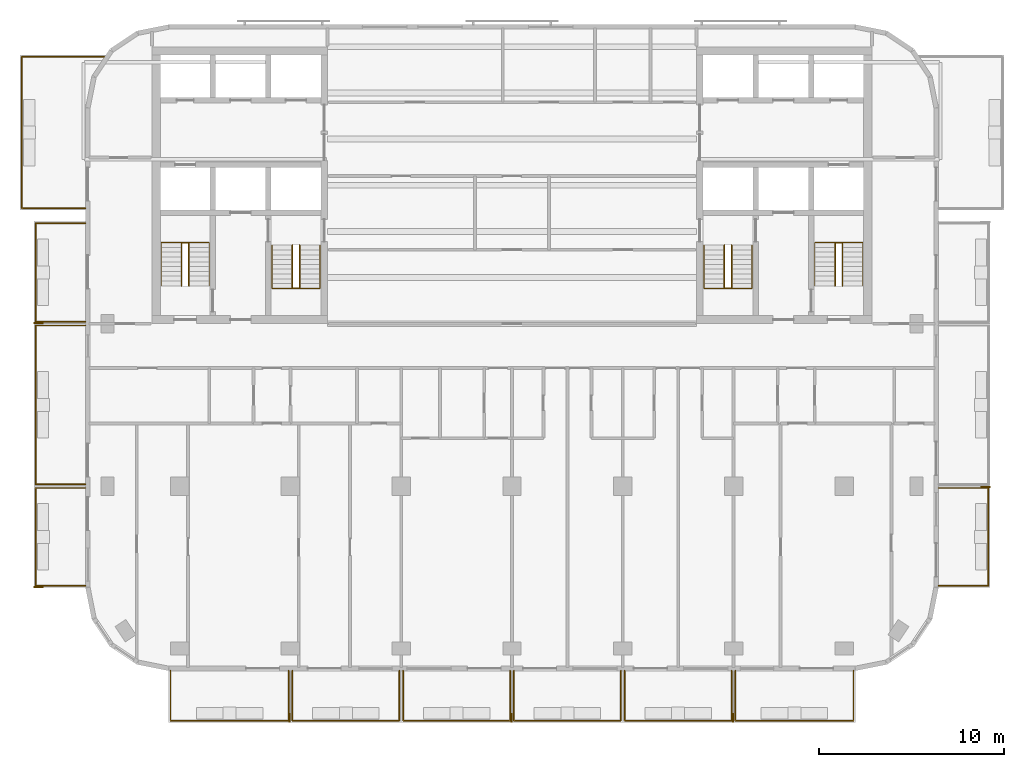
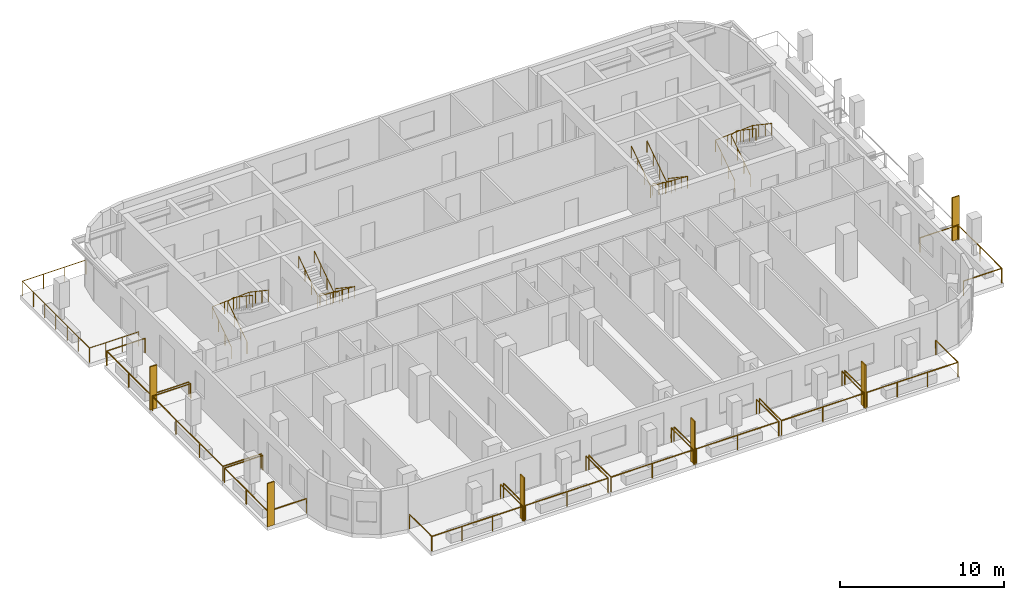
# One storey, part 9 of 11: 19 railings, 6 shading devices.
"""IFC4 building model written with IfcOpenShell, lengths in metres."""

from ifc_helpers import new_model, si_unit, direction, frame, origin, origin_2d, place, context, subcontext, project, spatial, rectangle, circle, extrude, material, layer, layer_set, type_object, element, save


model = new_model("IFC4")

# Units and contexts
model_context = context("Model", 3, precision=1e-05, world=origin(), true_north=direction((0.0, 1.0)))
body_context = subcontext(model_context, "Body", "Model", "MODEL_VIEW")
ifc_project = project(units=[si_unit("LENGTHUNIT", "METRE"), si_unit("AREAUNIT", "SQUARE_METRE"), si_unit("VOLUMEUNIT", "CUBIC_METRE"), si_unit("PLANEANGLEUNIT", "RADIAN"), si_unit("MASSUNIT", "GRAM", prefix="KILO")], contexts=[model_context])

# Site, building, storey
site_placement = place(None, origin())
site = spatial("IfcSite", under=ifc_project, at=site_placement, CompositionType="ELEMENT")
building_placement = place(site_placement, origin())
building = spatial("IfcBuilding", under=site, at=building_placement, Name="Torana Hotel and Residences", CompositionType="ELEMENT")
storey_placement = place(building_placement, frame((0.0, 0.0, 280.60009765625)))
storey = spatial("IfcBuildingStorey", under=building, at=storey_placement, Name="L74", CompositionType="ELEMENT", Elevation=280.60009765625)

# Shading devices
ifc_material_1 = material(Name="Black powder coated aluminium", Category="aluminium")
ifc_layer = layer(ifc_material_1, 0.080078125)
ifc_layer_set = layer_set([ifc_layer], Name="FN1 VERTICAL FIN 500x80")
shading_device_type = type_object("IfcShadingDeviceType", Name="FN1 VERTICAL FIN 500x80", PredefinedType="USERDEFINED", material=ifc_layer_set)
for number, where, z_axis, x_axis, name in (
    (1, (-12.0400390625, -36.35009765625, 0.0), (0.0, 0.0, 1.0), (-1.0, 0.0, 0.0), "Fin 01"),
    (2, (-0.0400390625, -36.35009765625, 0.0), (0.0, 0.0, 1.0), (-1.0, 0.0, 0.0), "Fin 03"),
    (3, (11.9599609375, -36.35009765625, 0.0), (0.0, 0.0, 1.0), (-1.0, 0.0, 0.0), "Fin 05"),
    (4, (-25.64990234375, -29.260009765625, 0.0), (0.0, 0.0, 1.0), (0.0, 1.0, 0.0), "Fin 07"),
    (5, (-25.64990234375, -14.9599609375, 0.0), (0.0, 0.0, 1.0), (0.0, 1.0, 0.0), "Fin 09"),
    (6, (25.64990234375, -23.840087890625, 0.0), (0.0, 0.0, 1.0), (0.0, -1.0, 0.0), "Fin 11"),
):
    element("IfcShadingDevice", number, at=place(storey_placement, frame(where, z_axis=z_axis, x_axis=x_axis)), inside=storey, type_object=shading_device_type, Name=name, ObjectType="FIN", PredefinedType="USERDEFINED", context=body_context, shape_type="SweptSolid", body=[
        extrude(rectangle(XDim=0.080078125, YDim=0.5, at=origin_2d()), origin(), (0.0, 0.0, 1.0), 3.219970703125),
    ])

# Railings
ifc_material_2 = material(Name="Laminated glass balustrade with black handrail", Category="glass")
railing_type_1 = type_object("IfcRailingType", Name="GR1 BALCONY GUARD 1100 GLASS", PredefinedType="GUARDRAIL", material=ifc_material_2)
railing_1_placement = place(storey_placement, frame((-12.10009765625, -33.800048828125, 0.0)))
element("IfcRailing", 7, at=railing_1_placement, inside=storey, type_object=railing_type_1, Name="Balcony guard 01", PredefinedType="GUARDRAIL", context=body_context, shape_type="SweptSolid", body=[
    extrude(circle(Radius=0.02392578125, at=origin_2d()), frame((0.0, 0.0, 1.076171875), z_axis=(0.0, -1.0, 0.0), x_axis=(1.0, 0.0, 0.0)), (0.0, 0.0, 1.0), 2.699951171875),
    extrude(circle(Radius=0.02392578125, at=origin_2d()), frame((0.0, -2.699951171875, 1.076171875), z_axis=(-1.0, 0.0, 0.0), x_axis=(0.0, -1.0, 0.0)), (0.0, 0.0, 1.0), 6.39990234375),
    extrude(circle(Radius=0.02392578125, at=origin_2d()), frame((-6.39990234375, -2.699951171875, 1.076171875), z_axis=(0.0, 1.0, 0.0), x_axis=(-1.0, 0.0, 0.0)), (0.0, 0.0, 1.0), 2.699951171875),
    extrude(circle(Radius=0.02099609375, at=origin_2d()), origin(), (0.0, 0.0, 1.0), 1.052001953125),
    extrude(circle(Radius=0.02099609375, at=origin_2d()), frame((0.0, -2.699951171875, 0.0)), (0.0, 0.0, 1.0), 1.052001953125),
    extrude(circle(Radius=0.02099609375, at=origin_2d()), frame((-2.13330078125, -2.699951171875, 0.0)), (0.0, 0.0, 1.0), 1.052001953125),
    extrude(circle(Radius=0.02099609375, at=origin_2d()), frame((-4.2666015625, -2.699951171875, 0.0)), (0.0, 0.0, 1.0), 1.052001953125),
    extrude(circle(Radius=0.02099609375, at=origin_2d()), frame((-6.39990234375, -2.699951171875, 0.0)), (0.0, 0.0, 1.0), 1.052001953125),
    extrude(circle(Radius=0.02099609375, at=origin_2d()), frame((-6.39990234375, 0.0, 0.0)), (0.0, 0.0, 1.0), 1.052001953125),
])
for number, where, name in (
    (8, (-6.10009765625, -33.800048828125, 0.0), "Balcony guard 02"),
    (9, (-0.10009765625, -33.800048828125, 0.0), "Balcony guard 03"),
    (10, (5.89990234375, -33.800048828125, 0.0), "Balcony guard 04"),
    (11, (11.89990234375, -33.800048828125, 0.0), "Balcony guard 05"),
):
    element("IfcRailing", number, at=place(storey_placement, frame(where)), inside=storey, type_object=railing_type_1, Name=name, PredefinedType="GUARDRAIL", context=body_context, shape_type="SweptSolid", body=[
        extrude(circle(Radius=0.02392578125, at=origin_2d()), frame((0.0, 0.0, 1.076171875), z_axis=(0.0, -1.0, 0.0), x_axis=(1.0, 0.0, 0.0)), (0.0, 0.0, 1.0), 2.699951171875),
        extrude(circle(Radius=0.02392578125, at=origin_2d()), frame((0.0, -2.699951171875, 1.076171875), z_axis=(-1.0, 0.0, 0.0), x_axis=(0.0, -1.0, 0.0)), (0.0, 0.0, 1.0), 5.7998046875),
        extrude(circle(Radius=0.02392578125, at=origin_2d()), frame((-5.7998046875, -2.699951171875, 1.076171875), z_axis=(0.0, 1.0, 0.0), x_axis=(-1.0, 0.0, 0.0)), (0.0, 0.0, 1.0), 2.699951171875),
        extrude(circle(Radius=0.02099609375, at=origin_2d()), origin(), (0.0, 0.0, 1.0), 1.052001953125),
        extrude(circle(Radius=0.02099609375, at=origin_2d()), frame((0.0, -2.699951171875, 0.0)), (0.0, 0.0, 1.0), 1.052001953125),
        extrude(circle(Radius=0.02099609375, at=origin_2d()), frame((-2.89990234375, -2.699951171875, 0.0)), (0.0, 0.0, 1.0), 1.052001953125),
        extrude(circle(Radius=0.02099609375, at=origin_2d()), frame((-5.7998046875, -2.699951171875, 0.0)), (0.0, 0.0, 1.0), 1.052001953125),
        extrude(circle(Radius=0.02099609375, at=origin_2d()), frame((-5.7998046875, 0.0, 0.0)), (0.0, 0.0, 1.0), 1.052001953125),
    ])
railing_2_placement = place(storey_placement, frame((18.5, -33.800048828125, 0.0)))
element("IfcRailing", 12, at=railing_2_placement, inside=storey, type_object=railing_type_1, Name="Balcony guard 06", PredefinedType="GUARDRAIL", context=body_context, shape_type="SweptSolid", body=[
    extrude(circle(Radius=0.02392578125, at=origin_2d()), frame((0.0, 0.0, 1.076171875), z_axis=(0.0, -1.0, 0.0), x_axis=(1.0, 0.0, 0.0)), (0.0, 0.0, 1.0), 2.699951171875),
    extrude(circle(Radius=0.02392578125, at=origin_2d()), frame((0.0, -2.699951171875, 1.076171875), z_axis=(-1.0, 0.0, 0.0), x_axis=(0.0, -1.0, 0.0)), (0.0, 0.0, 1.0), 6.39990234375),
    extrude(circle(Radius=0.02392578125, at=origin_2d()), frame((-6.39990234375, -2.699951171875, 1.076171875), z_axis=(0.0, 1.0, 0.0), x_axis=(-1.0, 0.0, 0.0)), (0.0, 0.0, 1.0), 2.699951171875),
    extrude(circle(Radius=0.02099609375, at=origin_2d()), origin(), (0.0, 0.0, 1.0), 1.052001953125),
    extrude(circle(Radius=0.02099609375, at=origin_2d()), frame((0.0, -2.699951171875, 0.0)), (0.0, 0.0, 1.0), 1.052001953125),
    extrude(circle(Radius=0.02099609375, at=origin_2d()), frame((-2.13330078125, -2.699951171875, 0.0)), (0.0, 0.0, 1.0), 1.052001953125),
    extrude(circle(Radius=0.02099609375, at=origin_2d()), frame((-4.2666015625, -2.699951171875, 0.0)), (0.0, 0.0, 1.0), 1.052001953125),
    extrude(circle(Radius=0.02099609375, at=origin_2d()), frame((-6.39990234375, -2.699951171875, 0.0)), (0.0, 0.0, 1.0), 1.052001953125),
    extrude(circle(Radius=0.02099609375, at=origin_2d()), frame((-6.39990234375, 0.0, 0.0)), (0.0, 0.0, 1.0), 1.052001953125),
])
railing_3_placement = place(storey_placement, frame((-23.10009765625, -29.199951171875, 0.0)))
element("IfcRailing", 13, at=railing_3_placement, inside=storey, type_object=railing_type_1, Name="Balcony guard 07", PredefinedType="GUARDRAIL", context=body_context, shape_type="SweptSolid", body=[
    extrude(circle(Radius=0.02392578125, at=origin_2d()), frame((0.0, 0.0, 1.076171875), z_axis=(-1.0, 0.0, 0.0), x_axis=(0.0, -1.0, 0.0)), (0.0, 0.0, 1.0), 2.699951171875),
    extrude(circle(Radius=0.02392578125, at=origin_2d()), frame((-2.699951171875, 0.0, 1.076171875), z_axis=(0.0, 1.0, 0.0), x_axis=(-1.0, 0.0, 0.0)), (0.0, 0.0, 1.0), 5.300048828125),
    extrude(circle(Radius=0.02392578125, at=origin_2d()), frame((-2.699951171875, 5.300048828125, 1.076171875), z_axis=(1.0, 0.0, 0.0), x_axis=(0.0, 1.0, 0.0)), (0.0, 0.0, 1.0), 2.699951171875),
    extrude(circle(Radius=0.02099609375, at=origin_2d()), origin(), (0.0, 0.0, 1.0), 1.052001953125),
    extrude(circle(Radius=0.02099609375, at=origin_2d()), frame((-2.699951171875, 0.0, 0.0)), (0.0, 0.0, 1.0), 1.052001953125),
    extrude(circle(Radius=0.02099609375, at=origin_2d()), frame((-2.699951171875, 2.64990234375, 0.0)), (0.0, 0.0, 1.0), 1.052001953125),
    extrude(circle(Radius=0.02099609375, at=origin_2d()), frame((-2.699951171875, 5.300048828125, 0.0)), (0.0, 0.0, 1.0), 1.052001953125),
    extrude(circle(Radius=0.02099609375, at=origin_2d()), frame((0.0, 5.300048828125, 0.0)), (0.0, 0.0, 1.0), 1.052001953125),
])
railing_4_placement = place(storey_placement, frame((-23.10009765625, -23.699951171875, 0.0)))
element("IfcRailing", 14, at=railing_4_placement, inside=storey, type_object=railing_type_1, Name="Balcony guard 08", PredefinedType="GUARDRAIL", context=body_context, shape_type="SweptSolid", body=[
    extrude(circle(Radius=0.02392578125, at=origin_2d()), frame((0.0, 0.0, 1.076171875), z_axis=(-1.0, 0.0, 0.0), x_axis=(0.0, -1.0, 0.0)), (0.0, 0.0, 1.0), 2.699951171875),
    extrude(circle(Radius=0.02392578125, at=origin_2d()), frame((-2.699951171875, 0.0, 1.076171875), z_axis=(0.0, 1.0, 0.0), x_axis=(-1.0, 0.0, 0.0)), (0.0, 0.0, 1.0), 8.599853515625),
    extrude(circle(Radius=0.02392578125, at=origin_2d()), frame((-2.699951171875, 8.599853515625, 1.076171875), z_axis=(1.0, 0.0, 0.0), x_axis=(0.0, 1.0, 0.0)), (0.0, 0.0, 1.0), 2.699951171875),
    extrude(circle(Radius=0.02099609375, at=origin_2d()), origin(), (0.0, 0.0, 1.0), 1.052001953125),
    extrude(circle(Radius=0.02099609375, at=origin_2d()), frame((-2.699951171875, 0.0, 0.0)), (0.0, 0.0, 1.0), 1.052001953125),
    extrude(circle(Radius=0.02099609375, at=origin_2d()), frame((-2.699951171875, 2.86669921875, 0.0)), (0.0, 0.0, 1.0), 1.052001953125),
    extrude(circle(Radius=0.02099609375, at=origin_2d()), frame((-2.699951171875, 5.733154296875, 0.0)), (0.0, 0.0, 1.0), 1.052001953125),
    extrude(circle(Radius=0.02099609375, at=origin_2d()), frame((-2.699951171875, 8.599853515625, 0.0)), (0.0, 0.0, 1.0), 1.052001953125),
    extrude(circle(Radius=0.02099609375, at=origin_2d()), frame((0.0, 8.599853515625, 0.0)), (0.0, 0.0, 1.0), 1.052001953125),
])
railing_5_placement = place(storey_placement, frame((-23.10009765625, -14.89990234375, 0.0)))
element("IfcRailing", 15, at=railing_5_placement, inside=storey, type_object=railing_type_1, Name="Balcony guard 09", PredefinedType="GUARDRAIL", context=body_context, shape_type="SweptSolid", body=[
    extrude(circle(Radius=0.02392578125, at=origin_2d()), frame((0.0, 0.0, 1.076171875), z_axis=(-1.0, 0.0, 0.0), x_axis=(0.0, -1.0, 0.0)), (0.0, 0.0, 1.0), 2.699951171875),
    extrude(circle(Radius=0.02392578125, at=origin_2d()), frame((-2.699951171875, 0.0, 1.076171875), z_axis=(0.0, 1.0, 0.0), x_axis=(-1.0, 0.0, 0.0)), (0.0, 0.0, 1.0), 5.349853515625),
    extrude(circle(Radius=0.02392578125, at=origin_2d()), frame((-2.699951171875, 5.349853515625, 1.076171875), z_axis=(1.0, 0.0, 0.0), x_axis=(0.0, 1.0, 0.0)), (0.0, 0.0, 1.0), 2.699951171875),
    extrude(circle(Radius=0.02099609375, at=origin_2d()), origin(), (0.0, 0.0, 1.0), 1.052001953125),
    extrude(circle(Radius=0.02099609375, at=origin_2d()), frame((-2.699951171875, 0.0, 0.0)), (0.0, 0.0, 1.0), 1.052001953125),
    extrude(circle(Radius=0.02099609375, at=origin_2d()), frame((-2.699951171875, 2.6748046875, 0.0)), (0.0, 0.0, 1.0), 1.052001953125),
    extrude(circle(Radius=0.02099609375, at=origin_2d()), frame((-2.699951171875, 5.349853515625, 0.0)), (0.0, 0.0, 1.0), 1.052001953125),
    extrude(circle(Radius=0.02099609375, at=origin_2d()), frame((0.0, 5.349853515625, 0.0)), (0.0, 0.0, 1.0), 1.052001953125),
])
railing_6_placement = place(storey_placement, frame((-23.10009765625, -8.75, 0.0)))
element("IfcRailing", 16, at=railing_6_placement, inside=storey, type_object=railing_type_1, Name="Balcony guard 10", PredefinedType="GUARDRAIL", context=body_context, shape_type="SweptSolid", body=[
    extrude(circle(Radius=0.02392578125, at=origin_2d()), frame((0.0, 0.0, 1.076171875), z_axis=(-1.0, 0.0, 0.0), x_axis=(0.0, -1.0, 0.0)), (0.0, 0.0, 1.0), 3.449951171875),
    extrude(circle(Radius=0.02392578125, at=origin_2d()), frame((-3.449951171875, 0.0, 1.076171875), z_axis=(0.0, 1.0, 0.0), x_axis=(-1.0, 0.0, 0.0)), (0.0, 0.0, 1.0), 8.199951171875),
    extrude(circle(Radius=0.02392578125, at=origin_2d()), frame((-3.449951171875, 8.199951171875, 1.076171875), z_axis=(1.0, 0.0, 0.0), x_axis=(0.0, 1.0, 0.0)), (0.0, 0.0, 1.0), 4.479248046875),
    extrude(circle(Radius=0.02099609375, at=origin_2d()), origin(), (0.0, 0.0, 1.0), 1.052001953125),
    extrude(circle(Radius=0.02099609375, at=origin_2d()), frame((-1.14990234375, 0.0, 0.0)), (0.0, 0.0, 1.0), 1.052001953125),
    extrude(circle(Radius=0.02099609375, at=origin_2d()), frame((-2.300048828125, 0.0, 0.0)), (0.0, 0.0, 1.0), 1.052001953125),
    extrude(circle(Radius=0.02099609375, at=origin_2d()), frame((-3.449951171875, 0.0, 0.0)), (0.0, 0.0, 1.0), 1.052001953125),
    extrude(circle(Radius=0.02099609375, at=origin_2d()), frame((-3.449951171875, 1.36669921875, 0.0)), (0.0, 0.0, 1.0), 1.052001953125),
    extrude(circle(Radius=0.02099609375, at=origin_2d()), frame((-3.449951171875, 2.7333984375, 0.0)), (0.0, 0.0, 1.0), 1.052001953125),
    extrude(circle(Radius=0.02099609375, at=origin_2d()), frame((-3.449951171875, 4.10009765625, 0.0)), (0.0, 0.0, 1.0), 1.052001953125),
    extrude(circle(Radius=0.02099609375, at=origin_2d()), frame((-3.449951171875, 5.466552734375, 0.0)), (0.0, 0.0, 1.0), 1.052001953125),
    extrude(circle(Radius=0.02099609375, at=origin_2d()), frame((-3.449951171875, 6.833251953125, 0.0)), (0.0, 0.0, 1.0), 1.052001953125),
    extrude(circle(Radius=0.02099609375, at=origin_2d()), frame((-3.449951171875, 8.199951171875, 0.0)), (0.0, 0.0, 1.0), 1.052001953125),
    extrude(circle(Radius=0.02099609375, at=origin_2d()), frame((-1.956787109375, 8.199951171875, 0.0)), (0.0, 0.0, 1.0), 1.052001953125),
    extrude(circle(Radius=0.02099609375, at=origin_2d()), frame((-0.4638671875, 8.199951171875, 0.0)), (0.0, 0.0, 1.0), 1.052001953125),
    extrude(circle(Radius=0.02099609375, at=origin_2d()), frame((1.029296875, 8.199951171875, 0.0)), (0.0, 0.0, 1.0), 1.052001953125),
])
railing_7_placement = place(storey_placement, frame((23.10009765625, -23.89990234375, 0.0)))
element("IfcRailing", 17, at=railing_7_placement, inside=storey, type_object=railing_type_1, Name="Balcony guard 11", PredefinedType="GUARDRAIL", context=body_context, shape_type="SweptSolid", body=[
    extrude(circle(Radius=0.02392578125, at=origin_2d()), frame((0.0, 0.0, 1.076171875), z_axis=(1.0, 0.0, 0.0), x_axis=(0.0, 1.0, 0.0)), (0.0, 0.0, 1.0), 2.699951171875),
    extrude(circle(Radius=0.02392578125, at=origin_2d()), frame((2.699951171875, 0.0, 1.076171875), z_axis=(0.0, -1.0, 0.0), x_axis=(1.0, 0.0, 0.0)), (0.0, 0.0, 1.0), 5.300048828125),
    extrude(circle(Radius=0.02392578125, at=origin_2d()), frame((2.699951171875, -5.300048828125, 1.076171875), z_axis=(-1.0, 0.0, 0.0), x_axis=(0.0, -1.0, 0.0)), (0.0, 0.0, 1.0), 2.699951171875),
    extrude(circle(Radius=0.02099609375, at=origin_2d()), origin(), (0.0, 0.0, 1.0), 1.052001953125),
    extrude(circle(Radius=0.02099609375, at=origin_2d()), frame((2.699951171875, 0.0, 0.0)), (0.0, 0.0, 1.0), 1.052001953125),
    extrude(circle(Radius=0.02099609375, at=origin_2d()), frame((2.699951171875, -2.64990234375, 0.0)), (0.0, 0.0, 1.0), 1.052001953125),
    extrude(circle(Radius=0.02099609375, at=origin_2d()), frame((2.699951171875, -5.300048828125, 0.0)), (0.0, 0.0, 1.0), 1.052001953125),
    extrude(circle(Radius=0.02099609375, at=origin_2d()), frame((0.0, -5.300048828125, 0.0)), (0.0, 0.0, 1.0), 1.052001953125),
])
ifc_material_3 = material(Name="Stainless steel 316", Category="steel")
railing_type_2 = type_object("IfcRailingType", Name="STAIR HANDRAIL HR1 900", PredefinedType="HANDRAIL", material=ifc_material_3)
railing_8_placement = place(storey_placement, frame((-10.39990234375, -10.75, 0.1748046875)))
element("IfcRailing", 18, at=railing_8_placement, inside=storey, type_object=railing_type_2, Name="Handrail ST1 L74 O1", PredefinedType="HANDRAIL", context=body_context, shape_type="SweptSolid", body=[
    extrude(circle(Radius=0.02392578125, at=origin_2d()), frame((0.0, 0.0, 0.8759765625), z_axis=(0.0, -0.829565388462, 0.558409586474), x_axis=(1.0, 0.0, 0.0)), (0.0, 0.0, 1.0), 2.82080078125),
    extrude(circle(Radius=0.02392578125, at=origin_2d()), frame((0.0, -2.340087890625, 2.451171875), z_axis=(-0.997747692642, 0.0, 0.067078624219), x_axis=(0.0, -1.0, 0.0)), (0.0, 0.0, 1.0), 2.60595703125),
    extrude(circle(Radius=0.02392578125, at=origin_2d()), frame((-2.60009765625, -2.340087890625, 2.6259765625), z_axis=(0.0, 0.829565388462, 0.558409586474), x_axis=(-1.0, 0.0, 0.0)), (0.0, 0.0, 1.0), 2.82080078125),
    extrude(circle(Radius=0.02099609375, at=origin_2d()), origin(), (0.0, 0.0, 1.0), 0.851806640625),
    extrude(circle(Radius=0.02099609375, at=origin_2d()), frame((0.0, -0.780029296875, 0.525146484375)), (0.0, 0.0, 1.0), 0.851806640625),
    extrude(circle(Radius=0.02099609375, at=origin_2d()), frame((0.0, -1.56005859375, 1.050048828125)), (0.0, 0.0, 1.0), 0.851806640625),
    extrude(circle(Radius=0.02099609375, at=origin_2d()), frame((0.0, -2.340087890625, 1.5751953125)), (0.0, 0.0, 1.0), 0.851806640625),
    extrude(circle(Radius=0.02099609375, at=origin_2d()), frame((-0.86669921875, -2.340087890625, 1.633544921875)), (0.0, 0.0, 1.0), 0.851806640625),
    extrude(circle(Radius=0.02099609375, at=origin_2d()), frame((-1.7333984375, -2.340087890625, 1.691650390625)), (0.0, 0.0, 1.0), 0.851806640625),
    extrude(circle(Radius=0.02099609375, at=origin_2d()), frame((-2.60009765625, -2.340087890625, 1.75)), (0.0, 0.0, 1.0), 0.851806640625),
    extrude(circle(Radius=0.02099609375, at=origin_2d()), frame((-2.60009765625, -1.56005859375, 2.275146484375)), (0.0, 0.0, 1.0), 0.851806640625),
    extrude(circle(Radius=0.02099609375, at=origin_2d()), frame((-2.60009765625, -0.780029296875, 2.800048828125)), (0.0, 0.0, 1.0), 0.851806640625),
    extrude(circle(Radius=0.02099609375, at=origin_2d()), frame((-2.60009765625, 0.0, 3.3251953125)), (0.0, 0.0, 1.0), 0.851806640625),
])
railing_9_placement = place(storey_placement, frame((-11.5, -10.75, 0.1748046875)))
element("IfcRailing", 19, at=railing_9_placement, inside=storey, type_object=railing_type_2, Name="Handrail ST1 L74 I1", PredefinedType="HANDRAIL", context=body_context, shape_type="SweptSolid", body=[
    extrude(circle(Radius=0.02392578125, at=origin_2d()), frame((0.0, 0.0, 0.8759765625), z_axis=(0.0, -0.829565388462, 0.558409586474), x_axis=(1.0, 0.0, 0.0)), (0.0, 0.0, 1.0), 2.82080078125),
    extrude(circle(Radius=0.02392578125, at=origin_2d()), frame((0.0, -2.340087890625, 2.451171875), z_axis=(-0.916285673175, 0.0, 0.400525361412), x_axis=(0.0, -1.0, 0.0)), (0.0, 0.0, 1.0), 0.4365234375),
    extrude(circle(Radius=0.02392578125, at=origin_2d()), frame((-0.39990234375, -2.340087890625, 2.6259765625), z_axis=(0.0, 0.829565388462, 0.558409586474), x_axis=(-1.0, 0.0, 0.0)), (0.0, 0.0, 1.0), 2.82080078125),
    extrude(circle(Radius=0.02099609375, at=origin_2d()), origin(), (0.0, 0.0, 1.0), 0.851806640625),
    extrude(circle(Radius=0.02099609375, at=origin_2d()), frame((0.0, -0.780029296875, 0.525146484375)), (0.0, 0.0, 1.0), 0.851806640625),
    extrude(circle(Radius=0.02099609375, at=origin_2d()), frame((0.0, -1.56005859375, 1.050048828125)), (0.0, 0.0, 1.0), 0.851806640625),
    extrude(circle(Radius=0.02099609375, at=origin_2d()), frame((0.0, -2.340087890625, 1.5751953125)), (0.0, 0.0, 1.0), 0.851806640625),
    extrude(circle(Radius=0.02099609375, at=origin_2d()), frame((-0.39990234375, -2.340087890625, 1.75)), (0.0, 0.0, 1.0), 0.851806640625),
    extrude(circle(Radius=0.02099609375, at=origin_2d()), frame((-0.39990234375, -1.56005859375, 2.275146484375)), (0.0, 0.0, 1.0), 0.851806640625),
    extrude(circle(Radius=0.02099609375, at=origin_2d()), frame((-0.39990234375, -0.780029296875, 2.800048828125)), (0.0, 0.0, 1.0), 0.851806640625),
    extrude(circle(Radius=0.02099609375, at=origin_2d()), frame((-0.39990234375, 0.0, 3.3251953125)), (0.0, 0.0, 1.0), 0.851806640625),
])
railing_10_placement = place(storey_placement, frame((-19.0, -12.949951171875, 0.1748046875)))
element("IfcRailing", 20, at=railing_10_placement, inside=storey, type_object=railing_type_2, Name="Handrail ST2 L74 O1", PredefinedType="HANDRAIL", context=body_context, shape_type="SweptSolid", body=[
    extrude(circle(Radius=0.02392578125, at=origin_2d()), frame((0.0, 0.0, 0.8759765625), z_axis=(0.0, 0.829538397957, 0.558449681095), x_axis=(-1.0, 0.0, 0.0)), (0.0, 0.0, 1.0), 2.820556640625),
    extrude(circle(Radius=0.02392578125, at=origin_2d()), frame((0.0, 2.33984375, 2.451171875), z_axis=(0.997747692642, 0.0, 0.067078624219), x_axis=(0.0, 1.0, 0.0)), (0.0, 0.0, 1.0), 2.60595703125),
    extrude(circle(Radius=0.02392578125, at=origin_2d()), frame((2.60009765625, 2.33984375, 2.6259765625), z_axis=(0.0, -0.829538397957, 0.558449681095), x_axis=(1.0, 0.0, 0.0)), (0.0, 0.0, 1.0), 2.820556640625),
    extrude(circle(Radius=0.02099609375, at=origin_2d()), origin(), (0.0, 0.0, 1.0), 0.851806640625),
    extrude(circle(Radius=0.02099609375, at=origin_2d()), frame((0.0, 0.780029296875, 0.525146484375)), (0.0, 0.0, 1.0), 0.851806640625),
    extrude(circle(Radius=0.02099609375, at=origin_2d()), frame((0.0, 1.559814453125, 1.050048828125)), (0.0, 0.0, 1.0), 0.851806640625),
    extrude(circle(Radius=0.02099609375, at=origin_2d()), frame((0.0, 2.33984375, 1.5751953125)), (0.0, 0.0, 1.0), 0.851806640625),
    extrude(circle(Radius=0.02099609375, at=origin_2d()), frame((0.86669921875, 2.33984375, 1.633544921875)), (0.0, 0.0, 1.0), 0.851806640625),
    extrude(circle(Radius=0.02099609375, at=origin_2d()), frame((1.7333984375, 2.33984375, 1.691650390625)), (0.0, 0.0, 1.0), 0.851806640625),
    extrude(circle(Radius=0.02099609375, at=origin_2d()), frame((2.60009765625, 2.33984375, 1.75)), (0.0, 0.0, 1.0), 0.851806640625),
    extrude(circle(Radius=0.02099609375, at=origin_2d()), frame((2.60009765625, 1.559814453125, 2.275146484375)), (0.0, 0.0, 1.0), 0.851806640625),
    extrude(circle(Radius=0.02099609375, at=origin_2d()), frame((2.60009765625, 0.780029296875, 2.800048828125)), (0.0, 0.0, 1.0), 0.851806640625),
    extrude(circle(Radius=0.02099609375, at=origin_2d()), frame((2.60009765625, 0.0, 3.3251953125)), (0.0, 0.0, 1.0), 0.851806640625),
])
railing_11_placement = place(storey_placement, frame((-17.89990234375, -12.949951171875, 0.1748046875)))
element("IfcRailing", 21, at=railing_11_placement, inside=storey, type_object=railing_type_2, Name="Handrail ST2 L74 I1", PredefinedType="HANDRAIL", context=body_context, shape_type="SweptSolid", body=[
    extrude(circle(Radius=0.02392578125, at=origin_2d()), frame((0.0, 0.0, 0.8759765625), z_axis=(0.0, 0.829538397957, 0.558449681095), x_axis=(-1.0, 0.0, 0.0)), (0.0, 0.0, 1.0), 2.820556640625),
    extrude(circle(Radius=0.02392578125, at=origin_2d()), frame((0.0, 2.33984375, 2.451171875), z_axis=(0.916285673175, 0.0, 0.400525361412), x_axis=(0.0, 1.0, 0.0)), (0.0, 0.0, 1.0), 0.4365234375),
    extrude(circle(Radius=0.02392578125, at=origin_2d()), frame((0.39990234375, 2.33984375, 2.6259765625), z_axis=(0.0, -0.829538397957, 0.558449681095), x_axis=(1.0, 0.0, 0.0)), (0.0, 0.0, 1.0), 2.820556640625),
    extrude(circle(Radius=0.02099609375, at=origin_2d()), origin(), (0.0, 0.0, 1.0), 0.851806640625),
    extrude(circle(Radius=0.02099609375, at=origin_2d()), frame((0.0, 0.780029296875, 0.525146484375)), (0.0, 0.0, 1.0), 0.851806640625),
    extrude(circle(Radius=0.02099609375, at=origin_2d()), frame((0.0, 1.559814453125, 1.050048828125)), (0.0, 0.0, 1.0), 0.851806640625),
    extrude(circle(Radius=0.02099609375, at=origin_2d()), frame((0.0, 2.33984375, 1.5751953125)), (0.0, 0.0, 1.0), 0.851806640625),
    extrude(circle(Radius=0.02099609375, at=origin_2d()), frame((0.39990234375, 2.33984375, 1.75)), (0.0, 0.0, 1.0), 0.851806640625),
    extrude(circle(Radius=0.02099609375, at=origin_2d()), frame((0.39990234375, 1.559814453125, 2.275146484375)), (0.0, 0.0, 1.0), 0.851806640625),
    extrude(circle(Radius=0.02099609375, at=origin_2d()), frame((0.39990234375, 0.780029296875, 2.800048828125)), (0.0, 0.0, 1.0), 0.851806640625),
    extrude(circle(Radius=0.02099609375, at=origin_2d()), frame((0.39990234375, 0.0, 3.3251953125)), (0.0, 0.0, 1.0), 0.851806640625),
])
railing_12_placement = place(storey_placement, frame((13.0, -10.75, 0.1748046875)))
element("IfcRailing", 22, at=railing_12_placement, inside=storey, type_object=railing_type_2, Name="Handrail ST3 L74 O1", PredefinedType="HANDRAIL", context=body_context, shape_type="SweptSolid", body=[
    extrude(circle(Radius=0.02392578125, at=origin_2d()), frame((0.0, 0.0, 0.8759765625), z_axis=(0.0, -0.829565388462, 0.558409586474), x_axis=(1.0, 0.0, 0.0)), (0.0, 0.0, 1.0), 2.82080078125),
    extrude(circle(Radius=0.02392578125, at=origin_2d()), frame((0.0, -2.340087890625, 2.451171875), z_axis=(-0.997747692642, 0.0, 0.067078624219), x_axis=(0.0, -1.0, 0.0)), (0.0, 0.0, 1.0), 2.60595703125),
    extrude(circle(Radius=0.02392578125, at=origin_2d()), frame((-2.60009765625, -2.340087890625, 2.6259765625), z_axis=(0.0, 0.829565388462, 0.558409586474), x_axis=(-1.0, 0.0, 0.0)), (0.0, 0.0, 1.0), 2.82080078125),
    extrude(circle(Radius=0.02099609375, at=origin_2d()), origin(), (0.0, 0.0, 1.0), 0.851806640625),
    extrude(circle(Radius=0.02099609375, at=origin_2d()), frame((0.0, -0.780029296875, 0.525146484375)), (0.0, 0.0, 1.0), 0.851806640625),
    extrude(circle(Radius=0.02099609375, at=origin_2d()), frame((0.0, -1.56005859375, 1.050048828125)), (0.0, 0.0, 1.0), 0.851806640625),
    extrude(circle(Radius=0.02099609375, at=origin_2d()), frame((0.0, -2.340087890625, 1.5751953125)), (0.0, 0.0, 1.0), 0.851806640625),
    extrude(circle(Radius=0.02099609375, at=origin_2d()), frame((-0.86669921875, -2.340087890625, 1.633544921875)), (0.0, 0.0, 1.0), 0.851806640625),
    extrude(circle(Radius=0.02099609375, at=origin_2d()), frame((-1.7333984375, -2.340087890625, 1.691650390625)), (0.0, 0.0, 1.0), 0.851806640625),
    extrude(circle(Radius=0.02099609375, at=origin_2d()), frame((-2.60009765625, -2.340087890625, 1.75)), (0.0, 0.0, 1.0), 0.851806640625),
    extrude(circle(Radius=0.02099609375, at=origin_2d()), frame((-2.60009765625, -1.56005859375, 2.275146484375)), (0.0, 0.0, 1.0), 0.851806640625),
    extrude(circle(Radius=0.02099609375, at=origin_2d()), frame((-2.60009765625, -0.780029296875, 2.800048828125)), (0.0, 0.0, 1.0), 0.851806640625),
    extrude(circle(Radius=0.02099609375, at=origin_2d()), frame((-2.60009765625, 0.0, 3.3251953125)), (0.0, 0.0, 1.0), 0.851806640625),
])
railing_13_placement = place(storey_placement, frame((11.89990234375, -10.75, 0.1748046875)))
element("IfcRailing", 23, at=railing_13_placement, inside=storey, type_object=railing_type_2, Name="Handrail ST3 L74 I1", PredefinedType="HANDRAIL", context=body_context, shape_type="SweptSolid", body=[
    extrude(circle(Radius=0.02392578125, at=origin_2d()), frame((0.0, 0.0, 0.8759765625), z_axis=(0.0, -0.829565388462, 0.558409586474), x_axis=(1.0, 0.0, 0.0)), (0.0, 0.0, 1.0), 2.82080078125),
    extrude(circle(Radius=0.02392578125, at=origin_2d()), frame((0.0, -2.340087890625, 2.451171875), z_axis=(-0.916285673175, 0.0, 0.400525361412), x_axis=(0.0, -1.0, 0.0)), (0.0, 0.0, 1.0), 0.4365234375),
    extrude(circle(Radius=0.02392578125, at=origin_2d()), frame((-0.39990234375, -2.340087890625, 2.6259765625), z_axis=(0.0, 0.829565388462, 0.558409586474), x_axis=(-1.0, 0.0, 0.0)), (0.0, 0.0, 1.0), 2.82080078125),
    extrude(circle(Radius=0.02099609375, at=origin_2d()), origin(), (0.0, 0.0, 1.0), 0.851806640625),
    extrude(circle(Radius=0.02099609375, at=origin_2d()), frame((0.0, -0.780029296875, 0.525146484375)), (0.0, 0.0, 1.0), 0.851806640625),
    extrude(circle(Radius=0.02099609375, at=origin_2d()), frame((0.0, -1.56005859375, 1.050048828125)), (0.0, 0.0, 1.0), 0.851806640625),
    extrude(circle(Radius=0.02099609375, at=origin_2d()), frame((0.0, -2.340087890625, 1.5751953125)), (0.0, 0.0, 1.0), 0.851806640625),
    extrude(circle(Radius=0.02099609375, at=origin_2d()), frame((-0.39990234375, -2.340087890625, 1.75)), (0.0, 0.0, 1.0), 0.851806640625),
    extrude(circle(Radius=0.02099609375, at=origin_2d()), frame((-0.39990234375, -1.56005859375, 2.275146484375)), (0.0, 0.0, 1.0), 0.851806640625),
    extrude(circle(Radius=0.02099609375, at=origin_2d()), frame((-0.39990234375, -0.780029296875, 2.800048828125)), (0.0, 0.0, 1.0), 0.851806640625),
    extrude(circle(Radius=0.02099609375, at=origin_2d()), frame((-0.39990234375, 0.0, 3.3251953125)), (0.0, 0.0, 1.0), 0.851806640625),
])
railing_14_placement = place(storey_placement, frame((16.39990234375, -12.949951171875, 0.1748046875)))
element("IfcRailing", 24, at=railing_14_placement, inside=storey, type_object=railing_type_2, Name="Handrail ST4 L74 O1", PredefinedType="HANDRAIL", context=body_context, shape_type="SweptSolid", body=[
    extrude(circle(Radius=0.02392578125, at=origin_2d()), frame((0.0, 0.0, 0.8759765625), z_axis=(0.0, 0.829538397957, 0.558449681095), x_axis=(-1.0, 0.0, 0.0)), (0.0, 0.0, 1.0), 2.820556640625),
    extrude(circle(Radius=0.02392578125, at=origin_2d()), frame((0.0, 2.33984375, 2.451171875), z_axis=(0.997747692642, 0.0, 0.067078624219), x_axis=(0.0, 1.0, 0.0)), (0.0, 0.0, 1.0), 2.60595703125),
    extrude(circle(Radius=0.02392578125, at=origin_2d()), frame((2.60009765625, 2.33984375, 2.6259765625), z_axis=(0.0, -0.829538397957, 0.558449681095), x_axis=(1.0, 0.0, 0.0)), (0.0, 0.0, 1.0), 2.820556640625),
    extrude(circle(Radius=0.02099609375, at=origin_2d()), origin(), (0.0, 0.0, 1.0), 0.851806640625),
    extrude(circle(Radius=0.02099609375, at=origin_2d()), frame((0.0, 0.780029296875, 0.525146484375)), (0.0, 0.0, 1.0), 0.851806640625),
    extrude(circle(Radius=0.02099609375, at=origin_2d()), frame((0.0, 1.559814453125, 1.050048828125)), (0.0, 0.0, 1.0), 0.851806640625),
    extrude(circle(Radius=0.02099609375, at=origin_2d()), frame((0.0, 2.33984375, 1.5751953125)), (0.0, 0.0, 1.0), 0.851806640625),
    extrude(circle(Radius=0.02099609375, at=origin_2d()), frame((0.86669921875, 2.33984375, 1.633544921875)), (0.0, 0.0, 1.0), 0.851806640625),
    extrude(circle(Radius=0.02099609375, at=origin_2d()), frame((1.7333984375, 2.33984375, 1.691650390625)), (0.0, 0.0, 1.0), 0.851806640625),
    extrude(circle(Radius=0.02099609375, at=origin_2d()), frame((2.60009765625, 2.33984375, 1.75)), (0.0, 0.0, 1.0), 0.851806640625),
    extrude(circle(Radius=0.02099609375, at=origin_2d()), frame((2.60009765625, 1.559814453125, 2.275146484375)), (0.0, 0.0, 1.0), 0.851806640625),
    extrude(circle(Radius=0.02099609375, at=origin_2d()), frame((2.60009765625, 0.780029296875, 2.800048828125)), (0.0, 0.0, 1.0), 0.851806640625),
    extrude(circle(Radius=0.02099609375, at=origin_2d()), frame((2.60009765625, 0.0, 3.3251953125)), (0.0, 0.0, 1.0), 0.851806640625),
])
railing_15_placement = place(storey_placement, frame((17.5, -12.949951171875, 0.1748046875)))
element("IfcRailing", 25, at=railing_15_placement, inside=storey, type_object=railing_type_2, Name="Handrail ST4 L74 I1", PredefinedType="HANDRAIL", context=body_context, shape_type="SweptSolid", body=[
    extrude(circle(Radius=0.02392578125, at=origin_2d()), frame((0.0, 0.0, 0.8759765625), z_axis=(0.0, 0.829538397957, 0.558449681095), x_axis=(-1.0, 0.0, 0.0)), (0.0, 0.0, 1.0), 2.820556640625),
    extrude(circle(Radius=0.02392578125, at=origin_2d()), frame((0.0, 2.33984375, 2.451171875), z_axis=(0.916285673175, 0.0, 0.400525361412), x_axis=(0.0, 1.0, 0.0)), (0.0, 0.0, 1.0), 0.4365234375),
    extrude(circle(Radius=0.02392578125, at=origin_2d()), frame((0.39990234375, 2.33984375, 2.6259765625), z_axis=(0.0, -0.829538397957, 0.558449681095), x_axis=(1.0, 0.0, 0.0)), (0.0, 0.0, 1.0), 2.820556640625),
    extrude(circle(Radius=0.02099609375, at=origin_2d()), origin(), (0.0, 0.0, 1.0), 0.851806640625),
    extrude(circle(Radius=0.02099609375, at=origin_2d()), frame((0.0, 0.780029296875, 0.525146484375)), (0.0, 0.0, 1.0), 0.851806640625),
    extrude(circle(Radius=0.02099609375, at=origin_2d()), frame((0.0, 1.559814453125, 1.050048828125)), (0.0, 0.0, 1.0), 0.851806640625),
    extrude(circle(Radius=0.02099609375, at=origin_2d()), frame((0.0, 2.33984375, 1.5751953125)), (0.0, 0.0, 1.0), 0.851806640625),
    extrude(circle(Radius=0.02099609375, at=origin_2d()), frame((0.39990234375, 2.33984375, 1.75)), (0.0, 0.0, 1.0), 0.851806640625),
    extrude(circle(Radius=0.02099609375, at=origin_2d()), frame((0.39990234375, 1.559814453125, 2.275146484375)), (0.0, 0.0, 1.0), 0.851806640625),
    extrude(circle(Radius=0.02099609375, at=origin_2d()), frame((0.39990234375, 0.780029296875, 2.800048828125)), (0.0, 0.0, 1.0), 0.851806640625),
    extrude(circle(Radius=0.02099609375, at=origin_2d()), frame((0.39990234375, 0.0, 3.3251953125)), (0.0, 0.0, 1.0), 0.851806640625),
])

save(model, "model.ifc")
